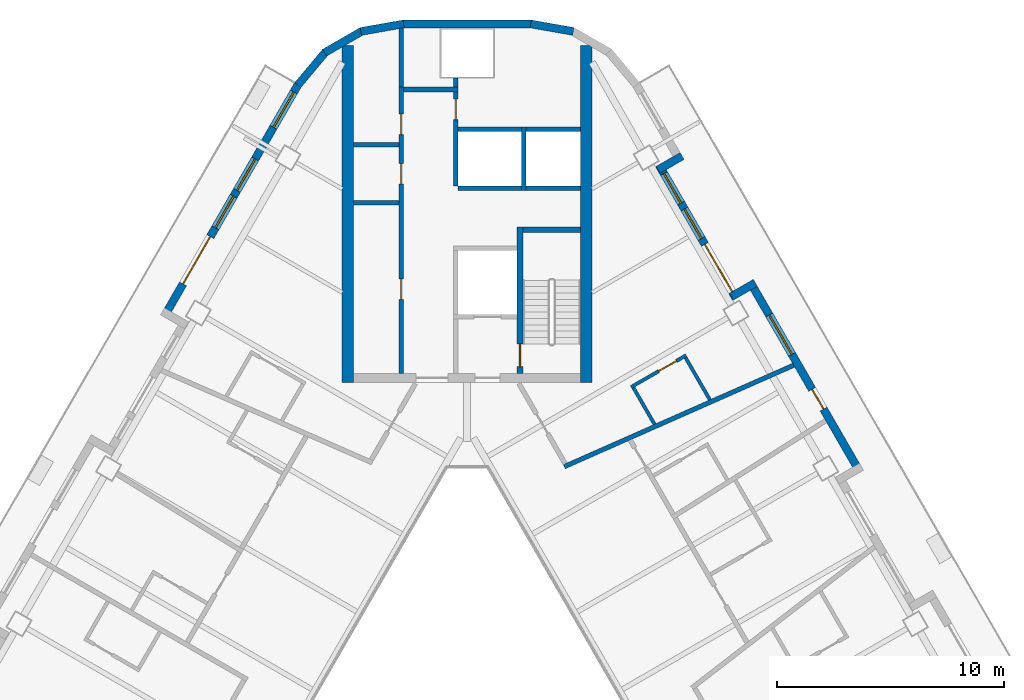
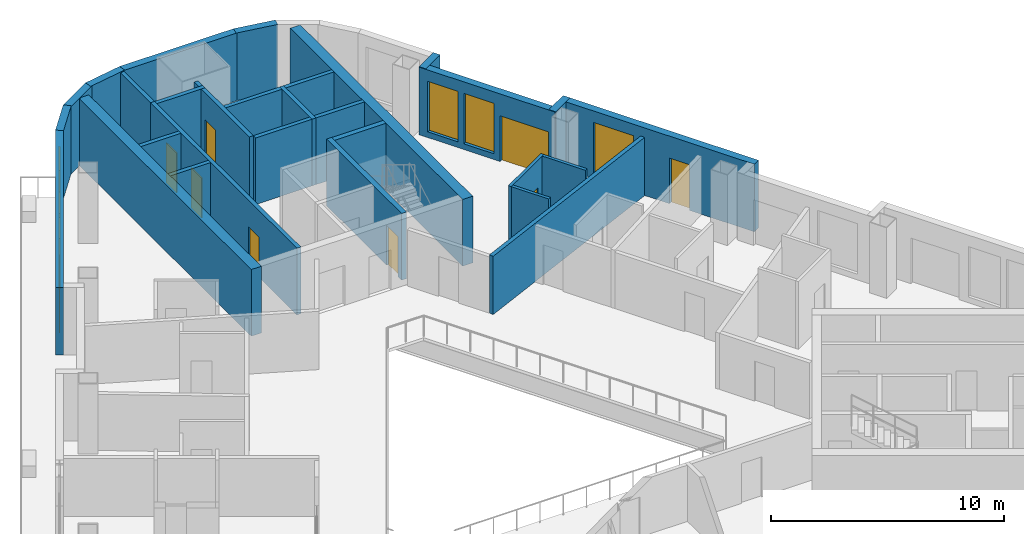
# One storey, part 7 of 14: 30 walls, 9 doors, 6 windows, 15 openings.
"""IFC4 building model written with IfcOpenShell, lengths in metres."""

from ifc_helpers import new_model, si_unit, direction, frame, frame_2d, origin, place, context, subcontext, project, spatial, rectangle, extrude, material, layer, layer_set, type_object, element, fill, save


model = new_model("IFC4")

# Units and contexts
model_context = context("Model", 3, precision=1e-05, world=origin(), true_north=direction((0.0, 1.0)))
body_context = subcontext(model_context, "Body", "Model", "MODEL_VIEW")
ifc_project = project(units=[si_unit("LENGTHUNIT", "METRE"), si_unit("AREAUNIT", "SQUARE_METRE"), si_unit("VOLUMEUNIT", "CUBIC_METRE"), si_unit("PLANEANGLEUNIT", "RADIAN"), si_unit("MASSUNIT", "GRAM", prefix="KILO")], contexts=[model_context])

# Site, building, storey
site_placement = place(None, origin())
site = spatial("IfcSite", under=ifc_project, at=site_placement, CompositionType="ELEMENT")
building_placement = place(site_placement, origin())
building = spatial("IfcBuilding", under=site, at=building_placement, Name="Apuvela Tower Hotel", CompositionType="ELEMENT")
storey_placement = place(building_placement, frame((0.0, 0.0, 179.89990234375)))
storey = spatial("IfcBuildingStorey", under=building, at=storey_placement, Name="L43", CompositionType="ELEMENT", Elevation=179.89990234375)

# Walls
ifc_material_1 = material(Name="Concrete C50/60", Category="concrete")
ifc_layer_1 = layer(ifc_material_1, 0.5)
ifc_layer_set_1 = layer_set([ifc_layer_1], Name="COR-WALL-CORE-500")
wall_type_1 = type_object("IfcWallType", Name="COR-WALL-CORE-500", PredefinedType="SHEAR", material=ifc_layer_set_1)
for number, where, z_axis, x_axis, name in (
    (1, (5.25, 12.89990234375, 0.0), (0.0, 0.0, 1.0), (0.0, 1.0, 0.0), "Core wall N"),
    (2, (-5.25, 12.89990234375, 0.0), (0.0, 0.0, 1.0), (0.0, 1.0, 0.0), "Core wall N"),
):
    element("IfcWall", number, at=place(storey_placement, frame(where, z_axis=z_axis, x_axis=x_axis)), inside=storey, type_object=wall_type_1, Name=name, PredefinedType="SHEAR", context=body_context, shape_type="SweptSolid", body=[
        extrude(rectangle(XDim=14.8369140625, YDim=0.5, at=frame_2d((7.41845703125, 0.0))), origin(), (0.0, 0.0, 1.0), 3.5),
    ])
ifc_material_2 = material(Name="Blockwork 200 mm plastered", Category="masonry")
ifc_layer_2 = layer(ifc_material_2, 0.199951171875)
ifc_layer_set_2 = layer_set([ifc_layer_2], Name="COR-WALL-PART-200")
wall_type_2 = type_object("IfcWallType", Name="COR-WALL-PART-200", PredefinedType="PARTITIONING", material=ifc_layer_set_2)
wall_1_placement = place(storey_placement, frame((5.0, 21.449951171875, 0.0), z_axis=(0.0, 0.0, 1.0), x_axis=(-1.0, 0.0, 0.0)))
element("IfcWall", 3, at=wall_1_placement, inside=storey, type_object=wall_type_2, Name="Partition N", PredefinedType="PARTITIONING", context=body_context, shape_type="SweptSolid", body=[
    extrude(rectangle(XDim=2.39990234375, YDim=0.199951171875, at=frame_2d((1.199951171875, 0.0))), origin(), (0.0, 0.0, 1.0), 3.5),
])
wall_2_placement = place(storey_placement, frame((2.39990234375, 21.449951171875, 0.0), z_axis=(0.0, 0.0, 1.0), x_axis=(-1.0, 0.0, 0.0)))
element("IfcWall", 4, at=wall_2_placement, inside=storey, type_object=wall_type_2, Name="Partition N", PredefinedType="PARTITIONING", context=body_context, shape_type="SweptSolid", body=[
    extrude(rectangle(XDim=2.7998046875, YDim=0.199951171875, at=frame_2d((1.39990234375, 0.0))), origin(), (0.0, 0.0, 1.0), 3.5),
])

# Wall, openings, doors
ifc_layer_3 = layer(ifc_material_1, 0.199951171875)
ifc_layer_set_3 = layer_set([ifc_layer_3], Name="COR-WALL-SHAFT-200")
wall_type_3 = type_object("IfcWallType", Name="COR-WALL-SHAFT-200", PredefinedType="SHEAR", material=ifc_layer_set_3)
wall_3_placement = place(storey_placement, frame((-2.89990234375, 13.300048828125, 0.0), z_axis=(0.0, 0.0, 1.0), x_axis=(0.0, 1.0, 0.0)))
wall_3 = element("IfcWall", 5, at=wall_3_placement, inside=storey, type_object=wall_type_3, Name="Shaft wall N", PredefinedType="SHEAR", context=body_context, shape_type="SweptSolid", body=[
    extrude(rectangle(XDim=12.599853515625, YDim=0.199951171875, at=frame_2d((6.2998046875, 0.0))), origin(), (0.0, 0.0, 1.0), 3.5),
])
opening_1_placement = place(wall_3_placement, frame((3.260009765625, 0.0, 0.0)))
opening_1 = element("IfcOpeningElement", 6, at=opening_1_placement, cuts=wall_3, Name="Opening N-RE1", PredefinedType="OPENING", context=body_context, shape_type="SweptSolid", body=[
    extrude(rectangle(XDim=0.89990234375, YDim=2.10009765625, at=frame_2d((0.449951171875, 1.050048828125))), frame((0.0, 0.10986328125, 0.0), z_axis=(0.0, -1.0, 0.0), x_axis=(1.0, 0.0, 0.0)), (0.0, 0.0, 1.0), 0.219970703125),
])
opening_2_placement = place(wall_3_placement, frame((8.340087890625, 0.0, 0.0)))
opening_2 = element("IfcOpeningElement", 7, at=opening_2_placement, cuts=wall_3, Name="Opening N-RE4", PredefinedType="OPENING", context=body_context, shape_type="SweptSolid", body=[
    extrude(rectangle(XDim=0.89990234375, YDim=2.10009765625, at=frame_2d((0.449951171875, 1.050048828125))), frame((0.0, 0.10986328125, 0.0), z_axis=(0.0, -1.0, 0.0), x_axis=(1.0, 0.0, 0.0)), (0.0, 0.0, 1.0), 0.219970703125),
])
opening_3_placement = place(wall_3_placement, frame((10.510009765625, 0.0, 0.0)))
opening_3 = element("IfcOpeningElement", 8, at=opening_3_placement, cuts=wall_3, Name="Opening N-REP", PredefinedType="OPENING", context=body_context, shape_type="SweptSolid", body=[
    extrude(rectangle(XDim=0.89990234375, YDim=2.10009765625, at=frame_2d((0.449951171875, 1.050048828125))), frame((0.0, 0.10986328125, 0.0), z_axis=(0.0, -1.0, 0.0), x_axis=(1.0, 0.0, 0.0)), (0.0, 0.0, 1.0), 0.219970703125),
])
ifc_material_3 = material(Name="Steel fire door, powder coated", Category="steel")
door_type_1 = type_object("IfcDoorType", Name="COR-DR-900", OperationType="NOTDEFINED", PredefinedType="DOOR", material=ifc_material_3)
door_1_placement = place(opening_1_placement, origin())
door_1 = element("IfcDoor", 9, at=door_1_placement, inside=storey, type_object=door_type_1, Name="Store door N-RE1", OperationType="SINGLE_SWING_LEFT", OverallHeight=2.10009765625, OverallWidth=0.89990234375, PredefinedType="DOOR", context=body_context, shape_type="SweptSolid", body=[
    extrude(rectangle(XDim=0.89990234375, YDim=2.10009765625, at=frame_2d((0.449951171875, 1.050048828125))), frame((0.0, 0.02490234375, 0.0), z_axis=(0.0, -1.0, 0.0), x_axis=(1.0, 0.0, 0.0)), (0.0, 0.0, 1.0), 0.050048828125),
])
fill(opening_1, door_1)
door_2_placement = place(opening_2_placement, origin())
door_2 = element("IfcDoor", 10, at=door_2_placement, inside=storey, type_object=door_type_1, Name="Store door N-RE4", OperationType="SINGLE_SWING_LEFT", OverallHeight=2.10009765625, OverallWidth=0.89990234375, PredefinedType="DOOR", context=body_context, shape_type="SweptSolid", body=[
    extrude(rectangle(XDim=0.89990234375, YDim=2.10009765625, at=frame_2d((0.449951171875, 1.050048828125))), frame((0.0, 0.02490234375, 0.0), z_axis=(0.0, -1.0, 0.0), x_axis=(1.0, 0.0, 0.0)), (0.0, 0.0, 1.0), 0.050048828125),
])
fill(opening_2, door_2)
door_3_placement = place(opening_3_placement, origin())
door_3 = element("IfcDoor", 11, at=door_3_placement, inside=storey, type_object=door_type_1, Name="Store door N-REP", OperationType="SINGLE_SWING_RIGHT", OverallHeight=2.10009765625, OverallWidth=0.89990234375, PredefinedType="DOOR", context=body_context, shape_type="SweptSolid", body=[
    extrude(rectangle(XDim=0.89990234375, YDim=2.10009765625, at=frame_2d((0.449951171875, 1.050048828125))), frame((0.0, 0.02490234375, 0.0), z_axis=(0.0, -1.0, 0.0), x_axis=(1.0, 0.0, 0.0)), (0.0, 0.0, 1.0), 0.050048828125),
])
fill(opening_3, door_3)

# Wall
wall_4_placement = place(storey_placement, frame((-0.39990234375, 25.800048828125, 0.0), z_axis=(0.0, 0.0, 1.0), x_axis=(-1.0, 0.0, 0.0)))
element("IfcWall", 12, at=wall_4_placement, inside=storey, type_object=wall_type_3, Name="Shaft wall N", PredefinedType="SHEAR", context=body_context, shape_type="SweptSolid", body=[
    extrude(rectangle(XDim=2.400146484375, YDim=0.199951171875, at=frame_2d((1.2001953125, 0.0))), origin(), (0.0, 0.0, 1.0), 3.5),
])

# Wall, opening, door
wall_5_placement = place(storey_placement, frame((-0.5, 21.550048828125, 0.0), z_axis=(0.0, 0.0, 1.0), x_axis=(0.0, 1.0, 0.0)))
wall_5 = element("IfcWall", 13, at=wall_5_placement, inside=storey, type_object=wall_type_3, Name="Shaft wall N", PredefinedType="SHEAR", context=body_context, shape_type="SweptSolid", body=[
    extrude(rectangle(XDim=4.14990234375, YDim=0.199951171875, at=frame_2d((2.074951171875, 0.0))), origin(), (0.0, 0.0, 1.0), 3.5),
])
opening_4_placement = place(wall_5_placement, frame((2.925048828125, 0.0, 0.0)))
opening_4 = element("IfcOpeningElement", 14, at=opening_4_placement, cuts=wall_5, Name="Opening N-RSP", PredefinedType="OPENING", context=body_context, shape_type="SweptSolid", body=[
    extrude(rectangle(XDim=0.89990234375, YDim=2.10009765625, at=frame_2d((0.449951171875, 1.050048828125))), frame((0.0, 0.10986328125, 0.0), z_axis=(0.0, -1.0, 0.0), x_axis=(1.0, 0.0, 0.0)), (0.0, 0.0, 1.0), 0.219970703125),
])
door_4_placement = place(opening_4_placement, frame((0.89990234375, 0.0, 0.0), z_axis=(0.0, 0.0, 1.0), x_axis=(-1.0, 0.0, 0.0)))
door_4 = element("IfcDoor", 15, at=door_4_placement, inside=storey, type_object=door_type_1, Name="Store door N-RSP", OperationType="SINGLE_SWING_LEFT", OverallHeight=2.10009765625, OverallWidth=0.89990234375, PredefinedType="DOOR", context=body_context, shape_type="SweptSolid", body=[
    extrude(rectangle(XDim=0.89990234375, YDim=2.10009765625, at=frame_2d((0.449951171875, 1.050048828125))), frame((0.0, 0.02490234375, 0.0), z_axis=(0.0, -1.0, 0.0), x_axis=(1.0, 0.0, 0.0)), (0.0, 0.0, 1.0), 0.050048828125),
])
fill(opening_4, door_4)

# Walls
for number, where, z_axis, x_axis, name in (
    (16, (-3.0, 20.820068359375, 0.0), (0.0, 0.0, 1.0), (-1.0, 0.0, 0.0), "Shaft wall N"),
    (17, (-3.0, 23.360107421875, 0.0), (0.0, 0.0, 1.0), (-1.0, 0.0, 0.0), "Shaft wall N"),
):
    element("IfcWall", number, at=place(storey_placement, frame(where, z_axis=z_axis, x_axis=x_axis)), inside=storey, type_object=wall_type_3, Name=name, PredefinedType="SHEAR", context=body_context, shape_type="SweptSolid", body=[
        extrude(rectangle(XDim=2.0, YDim=0.199951171875, at=frame_2d((1.0, 0.0))), origin(), (0.0, 0.0, 1.0), 3.5),
    ])
wall_6_placement = place(storey_placement, frame((-0.5, 25.89990234375, 0.0), z_axis=(0.0, 0.0, 1.0), x_axis=(0.0, 1.0, 0.0)))
element("IfcWall", 18, at=wall_6_placement, inside=storey, type_object=wall_type_3, Name="Shaft wall N", PredefinedType="SHEAR", context=body_context, shape_type="SweptSolid", body=[
    extrude(rectangle(XDim=0.400146484375, YDim=0.199951171875, at=frame_2d((0.2001953125, 0.0))), origin(), (0.0, 0.0, 1.0), 3.5),
])
wall_7_placement = place(storey_placement, frame((-2.89990234375, 25.89990234375, 0.0), z_axis=(0.0, 0.0, 1.0), x_axis=(0.0, 1.0, 0.0)))
element("IfcWall", 19, at=wall_7_placement, inside=storey, type_object=wall_type_3, Name="Shaft wall N", PredefinedType="SHEAR", context=body_context, shape_type="SweptSolid", body=[
    extrude(rectangle(XDim=2.60009765625, YDim=0.199951171875, at=frame_2d((1.300048828125, 0.0))), origin(), (0.0, 0.0, 1.0), 3.5),
])
wall_8_placement = place(storey_placement, frame((2.5, 21.35009765625, 0.0), z_axis=(0.0, 0.0, 1.0), x_axis=(0.0, 1.0, 0.0)))
element("IfcWall", 20, at=wall_8_placement, inside=storey, type_object=wall_type_3, Name="Shaft wall N", PredefinedType="SHEAR", context=body_context, shape_type="SweptSolid", body=[
    extrude(rectangle(XDim=2.7998046875, YDim=0.199951171875, at=frame_2d((1.39990234375, 0.0))), origin(), (0.0, 0.0, 1.0), 3.5),
])
wall_9_placement = place(storey_placement, frame((5.0, 24.050048828125, 0.0), z_axis=(0.0, 0.0, 1.0), x_axis=(-1.0, 0.0, 0.0)))
element("IfcWall", 21, at=wall_9_placement, inside=storey, type_object=wall_type_3, Name="Shaft wall N", PredefinedType="SHEAR", context=body_context, shape_type="SweptSolid", body=[
    extrude(rectangle(XDim=2.39990234375, YDim=0.199951171875, at=frame_2d((1.199951171875, 0.0))), origin(), (0.0, 0.0, 1.0), 3.5),
])
wall_10_placement = place(storey_placement, frame((2.39990234375, 24.050048828125, 0.0), z_axis=(0.0, 0.0, 1.0), x_axis=(-1.0, 0.0, 0.0)))
element("IfcWall", 22, at=wall_10_placement, inside=storey, type_object=wall_type_3, Name="Shaft wall N", PredefinedType="SHEAR", context=body_context, shape_type="SweptSolid", body=[
    extrude(rectangle(XDim=2.7998046875, YDim=0.199951171875, at=frame_2d((1.39990234375, 0.0))), origin(), (0.0, 0.0, 1.0), 3.5),
])

# Wall, opening, door
ifc_layer_4 = layer(ifc_material_1, 0.25)
ifc_layer_set_4 = layer_set([ifc_layer_4], Name="COR-WALL-STAIR-250")
wall_type_4 = type_object("IfcWallType", Name="COR-WALL-STAIR-250", PredefinedType="SHEAR", material=ifc_layer_set_4)
wall_11_placement = place(storey_placement, frame((2.324951171875, 13.300048828125, 0.0), z_axis=(0.0, 0.0, 1.0), x_axis=(0.0, 1.0, 0.0)))
wall_11 = element("IfcWall", 23, at=wall_11_placement, inside=storey, type_object=wall_type_4, Name="Stair wall N", PredefinedType="SHEAR", context=body_context, shape_type="SweptSolid", body=[
    extrude(rectangle(XDim=6.449951171875, YDim=0.25, at=frame_2d((3.22509765625, 0.0))), origin(), (0.0, 0.0, 1.0), 3.5),
])
opening_5_placement = place(wall_11_placement, frame((0.300048828125, 0.0, 0.0)))
opening_5 = element("IfcOpeningElement", 24, at=opening_5_placement, cuts=wall_11, Name="Opening N-SD", PredefinedType="OPENING", context=body_context, shape_type="SweptSolid", body=[
    extrude(rectangle(XDim=1.0, YDim=2.10009765625, at=frame_2d((0.5, 1.050048828125))), frame((0.0, 0.135009765625, 0.0), z_axis=(0.0, -1.0, 0.0), x_axis=(1.0, 0.0, 0.0)), (0.0, 0.0, 1.0), 0.27001953125),
])
door_type_2 = type_object("IfcDoorType", Name="COR-SD-1000", OperationType="NOTDEFINED", PredefinedType="DOOR", material=ifc_material_3)
door_5_placement = place(opening_5_placement, frame((1.0, 0.0, 0.0), z_axis=(0.0, 0.0, 1.0), x_axis=(-1.0, 0.0, 0.0)))
door_5 = element("IfcDoor", 25, at=door_5_placement, inside=storey, type_object=door_type_2, Name="Stair door N-SD", OperationType="SINGLE_SWING_LEFT", OverallHeight=2.10009765625, OverallWidth=1.0, PredefinedType="DOOR", context=body_context, shape_type="SweptSolid", body=[
    extrude(rectangle(XDim=1.0, YDim=2.10009765625, at=frame_2d((0.5, 1.050048828125))), frame((0.0, 0.02490234375, 0.0), z_axis=(0.0, -1.0, 0.0), x_axis=(1.0, 0.0, 0.0)), (0.0, 0.0, 1.0), 0.050048828125),
])
fill(opening_5, door_5)

# Wall
wall_12_placement = place(storey_placement, frame((5.0, 19.625, 0.0), z_axis=(0.0, 0.0, 1.0), x_axis=(-1.0, 0.0, 0.0)))
element("IfcWall", 26, at=wall_12_placement, inside=storey, type_object=wall_type_4, Name="Stair wall N", PredefinedType="SHEAR", context=body_context, shape_type="SweptSolid", body=[
    extrude(rectangle(XDim=2.550048828125, YDim=0.25, at=frame_2d((1.27490234375, 0.0))), origin(), (0.0, 0.0, 1.0), 3.5),
])

# Wall, openings, door, windows
ifc_material_4 = material(Name="Concrete C40/50, dark pigmented precast panel", Category="concrete")
ifc_layer_5 = layer(ifc_material_4, 0.35009765625)
ifc_layer_set_5 = layer_set([ifc_layer_5], Name="ENV-WALL-350")
wall_type_5 = type_object("IfcWallType", Name="ENV-WALL-350", PredefinedType="SOLIDWALL", material=ifc_layer_set_5)
wall_13_placement = place(storey_placement, frame((-7.440673828125, 26.0224609375, 0.0), z_axis=(0.0, 0.0, 1.0), x_axis=(-0.499992533062, -0.86602971478, 0.0)))
wall_13 = element("IfcWall", 27, at=wall_13_placement, inside=storey, type_object=wall_type_5, Name="External wall L43-01", PredefinedType="SOLIDWALL", context=body_context, shape_type="SweptSolid", body=[
    extrude(rectangle(XDim=11.815673828125, YDim=0.35009765625, at=frame_2d((5.90771484375, 0.0))), origin(), (0.0, 0.0, 1.0), 3.550048828125),
])
opening_6_placement = place(wall_13_placement, frame((0.381103515625, 0.0, 0.300048828125)))
opening_6 = element("IfcOpeningElement", 28, at=opening_6_placement, cuts=wall_13, Name="Opening WN18", PredefinedType="OPENING", context=body_context, shape_type="SweptSolid", body=[
    extrude(rectangle(XDim=1.800048828125, YDim=2.64990234375, at=frame_2d((0.89990234375, 1.324951171875))), frame((0.0, 0.18505859375, 0.0), z_axis=(0.0, -1.0, 0.0), x_axis=(1.0, 0.0, 0.0)), (0.0, 0.0, 1.0), 0.3701171875),
])
opening_7_placement = place(wall_13_placement, frame((7.740478515625, 0.0, 0.0)))
opening_7 = element("IfcOpeningElement", 29, at=opening_7_placement, cuts=wall_13, Name="Opening BD24", PredefinedType="OPENING", context=body_context, shape_type="SweptSolid", body=[
    extrude(rectangle(XDim=2.39990234375, YDim=2.39990234375, at=frame_2d((1.199951171875, 1.199951171875))), frame((0.0, 0.18505859375, 0.0), z_axis=(0.0, -1.0, 0.0), x_axis=(1.0, 0.0, 0.0)), (0.0, 0.0, 1.0), 0.3701171875),
])
opening_8_placement = place(wall_13_placement, frame((3.791015625, 0.0, 0.300048828125)))
opening_8 = element("IfcOpeningElement", 30, at=opening_8_placement, cuts=wall_13, Name="Opening WN16", PredefinedType="OPENING", context=body_context, shape_type="SweptSolid", body=[
    extrude(rectangle(XDim=1.60009765625, YDim=2.64990234375, at=frame_2d((0.800048828125, 1.324951171875))), frame((0.0, 0.18505859375, 0.0), z_axis=(0.0, -1.0, 0.0), x_axis=(1.0, 0.0, 0.0)), (0.0, 0.0, 1.0), 0.3701171875),
])
opening_9_placement = place(wall_13_placement, frame((5.69091796875, 0.0, 0.300048828125)))
opening_9 = element("IfcOpeningElement", 31, at=opening_9_placement, cuts=wall_13, Name="Opening WN16", PredefinedType="OPENING", context=body_context, shape_type="SweptSolid", body=[
    extrude(rectangle(XDim=1.60009765625, YDim=2.64990234375, at=frame_2d((0.800048828125, 1.324951171875))), frame((0.0, 0.18505859375, 0.0), z_axis=(0.0, -1.0, 0.0), x_axis=(1.0, 0.0, 0.0)), (0.0, 0.0, 1.0), 0.3701171875),
])
ifc_material_5 = material(Name="Aluminium 6063-T6, dark bronze anodised frame with dark tinted laminated glass", Category="aluminium")
door_type_3 = type_object("IfcDoorType", Name="ENV-DOOR-BALCONY-2400x2400", OperationType="SLIDING_TO_LEFT", PredefinedType="DOOR", material=ifc_material_5)
door_6_placement = place(opening_7_placement, frame((2.39990234375, 0.0, 0.0), z_axis=(0.0, 0.0, 1.0), x_axis=(-1.0, 0.0, 0.0)))
door_6 = element("IfcDoor", 32, at=door_6_placement, inside=storey, type_object=door_type_3, Name="Balcony door BD24", OperationType="SLIDING_TO_LEFT", OverallHeight=2.39990234375, OverallWidth=2.39990234375, PredefinedType="DOOR", context=body_context, shape_type="SweptSolid", body=[
    extrude(rectangle(XDim=2.39990234375, YDim=2.39990234375, at=frame_2d((1.199951171875, 1.199951171875))), frame((0.0, 0.02490234375, 0.0), z_axis=(0.0, -1.0, 0.0), x_axis=(1.0, 0.0, 0.0)), (0.0, 0.0, 1.0), 0.050048828125),
])
fill(opening_7, door_6)
ifc_material_6 = material(Name="Glass, dark tinted laminated insulated glazing unit", Category="glass")
window_type_1 = type_object("IfcWindowType", Name="ENV-WIN-1600x2650", PartitioningType="SINGLE_PANEL", PredefinedType="WINDOW", material=ifc_material_6)
window_1_placement = place(opening_8_placement, origin())
window_1 = element("IfcWindow", 33, at=window_1_placement, inside=storey, type_object=window_type_1, Name="Window WN16", OverallHeight=2.64990234375, OverallWidth=1.60009765625, PartitioningType="SINGLE_PANEL", PredefinedType="WINDOW", context=body_context, shape_type="SweptSolid", body=[
    extrude(rectangle(XDim=1.60009765625, YDim=2.64990234375, at=frame_2d((0.800048828125, 1.324951171875))), frame((0.0, 0.030029296875, 0.0), z_axis=(0.0, -1.0, 0.0), x_axis=(1.0, 0.0, 0.0)), (0.0, 0.0, 1.0), 0.06005859375),
])
fill(opening_8, window_1)
window_2_placement = place(opening_9_placement, origin())
window_2 = element("IfcWindow", 34, at=window_2_placement, inside=storey, type_object=window_type_1, Name="Window WN16", OverallHeight=2.64990234375, OverallWidth=1.60009765625, PartitioningType="SINGLE_PANEL", PredefinedType="WINDOW", context=body_context, shape_type="SweptSolid", body=[
    extrude(rectangle(XDim=1.60009765625, YDim=2.64990234375, at=frame_2d((0.800048828125, 1.324951171875))), frame((0.0, 0.030029296875, 0.0), z_axis=(0.0, -1.0, 0.0), x_axis=(1.0, 0.0, 0.0)), (0.0, 0.0, 1.0), 0.06005859375),
])
fill(opening_9, window_2)
window_type_2 = type_object("IfcWindowType", Name="ENV-WIN-1800x2650", PartitioningType="SINGLE_PANEL", PredefinedType="WINDOW", material=ifc_material_6)
window_3_placement = place(opening_6_placement, origin())
window_3 = element("IfcWindow", 35, at=window_3_placement, inside=storey, type_object=window_type_2, Name="Window WN18", OverallHeight=2.64990234375, OverallWidth=1.800048828125, PartitioningType="SINGLE_PANEL", PredefinedType="WINDOW", context=body_context, shape_type="SweptSolid", body=[
    extrude(rectangle(XDim=1.800048828125, YDim=2.64990234375, at=frame_2d((0.89990234375, 1.324951171875))), frame((0.0, 0.030029296875, 0.0), z_axis=(0.0, -1.0, 0.0), x_axis=(1.0, 0.0, 0.0)), (0.0, 0.0, 1.0), 0.06005859375),
])
fill(opening_6, window_3)

# Wall, openings, door, window
wall_14_placement = place(storey_placement, frame((17.298583984375, 8.947998046875, 0.0), z_axis=(0.0, 0.0, 1.0), x_axis=(-0.500010041276, 0.866019606374, 0.0)))
wall_14 = element("IfcWall", 36, at=wall_14_placement, inside=storey, type_object=wall_type_5, Name="External wall L43-37", PredefinedType="SOLIDWALL", context=body_context, shape_type="SweptSolid", body=[
    extrude(rectangle(XDim=9.699951171875, YDim=0.35009765625, at=frame_2d((4.85009765625, 0.0))), origin(), (0.0, 0.0, 1.0), 3.550048828125),
])
opening_10_placement = place(wall_14_placement, frame((3.209716796875, 0.0, 0.0)))
opening_10 = element("IfcOpeningElement", 37, at=opening_10_placement, cuts=wall_14, Name="Opening BD10", PredefinedType="OPENING", context=body_context, shape_type="SweptSolid", body=[
    extrude(rectangle(XDim=1.0, YDim=2.39990234375, at=frame_2d((0.5, 1.199951171875))), frame((0.0, 0.18505859375, 0.0), z_axis=(0.0, -1.0, 0.0), x_axis=(1.0, 0.0, 0.0)), (0.0, 0.0, 1.0), 0.3701171875),
])
opening_11_placement = place(wall_14_placement, frame((5.989990234375, 0.0, 0.300048828125)))
opening_11 = element("IfcOpeningElement", 38, at=opening_11_placement, cuts=wall_14, Name="Opening WN20", PredefinedType="OPENING", context=body_context, shape_type="SweptSolid", body=[
    extrude(rectangle(XDim=2.0, YDim=2.64990234375, at=frame_2d((1.0, 1.324951171875))), frame((0.0, 0.18505859375, 0.0), z_axis=(0.0, -1.0, 0.0), x_axis=(1.0, 0.0, 0.0)), (0.0, 0.0, 1.0), 0.3701171875),
])
door_type_4 = type_object("IfcDoorType", Name="ENV-DOOR-BALCONY-1000x2400", OperationType="SLIDING_TO_LEFT", PredefinedType="DOOR", material=ifc_material_5)
door_7_placement = place(opening_10_placement, frame((1.0, 0.0, 0.0), z_axis=(0.0, 0.0, 1.0), x_axis=(-1.0, 0.0, 0.0)))
door_7 = element("IfcDoor", 39, at=door_7_placement, inside=storey, type_object=door_type_4, Name="Balcony door BD10", OperationType="SLIDING_TO_LEFT", OverallHeight=2.39990234375, OverallWidth=1.0, PredefinedType="DOOR", context=body_context, shape_type="SweptSolid", body=[
    extrude(rectangle(XDim=1.0, YDim=2.39990234375, at=frame_2d((0.5, 1.199951171875))), frame((0.0, 0.02490234375, 0.0), z_axis=(0.0, -1.0, 0.0), x_axis=(1.0, 0.0, 0.0)), (0.0, 0.0, 1.0), 0.050048828125),
])
fill(opening_10, door_7)
window_type_3 = type_object("IfcWindowType", Name="ENV-WIN-2000x2650", PartitioningType="SINGLE_PANEL", PredefinedType="WINDOW", material=ifc_material_6)
window_4_placement = place(opening_11_placement, origin())
window_4 = element("IfcWindow", 40, at=window_4_placement, inside=storey, type_object=window_type_3, Name="Window WN20", OverallHeight=2.64990234375, OverallWidth=2.0, PartitioningType="SINGLE_PANEL", PredefinedType="WINDOW", context=body_context, shape_type="SweptSolid", body=[
    extrude(rectangle(XDim=2.0, YDim=2.64990234375, at=frame_2d((1.0, 1.324951171875))), frame((0.0, 0.030029296875, 0.0), z_axis=(0.0, -1.0, 0.0), x_axis=(1.0, 0.0, 0.0)), (0.0, 0.0, 1.0), 0.06005859375),
])
fill(opening_11, window_4)

# Wall
wall_15_placement = place(storey_placement, frame((12.6875, 17.284423828125, 0.0), z_axis=(0.0, 0.0, 1.0), x_axis=(-0.865955602162, -0.500120880472, 0.0)))
element("IfcWall", 41, at=wall_15_placement, inside=storey, type_object=wall_type_5, Name="External wall L43-38", PredefinedType="SOLIDWALL", context=body_context, shape_type="SweptSolid", body=[
    extrude(rectangle(XDim=1.219970703125, YDim=0.35009765625, at=frame_2d((0.60986328125, 0.0))), origin(), (0.0, 0.0, 1.0), 3.550048828125),
])

# Wall, openings, door, windows
wall_16_placement = place(storey_placement, frame((11.8291015625, 16.621337890625, 0.0), z_axis=(0.0, 0.0, 1.0), x_axis=(-0.500003597184, 0.866023326939, 0.0)))
wall_16 = element("IfcWall", 42, at=wall_16_placement, inside=storey, type_object=wall_type_5, Name="External wall L43-39", PredefinedType="SOLIDWALL", context=body_context, shape_type="SweptSolid", body=[
    extrude(rectangle(XDim=6.740234375, YDim=0.35009765625, at=frame_2d((3.3701171875, 0.0))), origin(), (0.0, 0.0, 1.0), 3.550048828125),
])
opening_12_placement = place(wall_16_placement, frame((0.320068359375, 0.0, 0.0)))
opening_12 = element("IfcOpeningElement", 43, at=opening_12_placement, cuts=wall_16, Name="Opening BD24", PredefinedType="OPENING", context=body_context, shape_type="SweptSolid", body=[
    extrude(rectangle(XDim=2.39990234375, YDim=2.39990234375, at=frame_2d((1.199951171875, 1.199951171875))), frame((0.0, 0.18505859375, 0.0), z_axis=(0.0, -1.0, 0.0), x_axis=(1.0, 0.0, 0.0)), (0.0, 0.0, 1.0), 0.3701171875),
])
opening_13_placement = place(wall_16_placement, frame((3.02001953125, 0.0, 0.300048828125)))
opening_13 = element("IfcOpeningElement", 44, at=opening_13_placement, cuts=wall_16, Name="Opening WN15", PredefinedType="OPENING", context=body_context, shape_type="SweptSolid", body=[
    extrude(rectangle(XDim=1.5, YDim=2.64990234375, at=frame_2d((0.75, 1.324951171875))), frame((0.0, 0.18505859375, 0.0), z_axis=(0.0, -1.0, 0.0), x_axis=(1.0, 0.0, 0.0)), (0.0, 0.0, 1.0), 0.3701171875),
])
opening_14_placement = place(wall_16_placement, frame((4.820068359375, 0.0, 0.300048828125)))
opening_14 = element("IfcOpeningElement", 45, at=opening_14_placement, cuts=wall_16, Name="Opening WN15", PredefinedType="OPENING", context=body_context, shape_type="SweptSolid", body=[
    extrude(rectangle(XDim=1.5, YDim=2.64990234375, at=frame_2d((0.75, 1.324951171875))), frame((0.0, 0.18505859375, 0.0), z_axis=(0.0, -1.0, 0.0), x_axis=(1.0, 0.0, 0.0)), (0.0, 0.0, 1.0), 0.3701171875),
])
door_8_placement = place(opening_12_placement, frame((2.39990234375, 0.0, 0.0), z_axis=(0.0, 0.0, 1.0), x_axis=(-1.0, 0.0, 0.0)))
door_8 = element("IfcDoor", 46, at=door_8_placement, inside=storey, type_object=door_type_3, Name="Balcony door BD24", OperationType="SLIDING_TO_LEFT", OverallHeight=2.39990234375, OverallWidth=2.39990234375, PredefinedType="DOOR", context=body_context, shape_type="SweptSolid", body=[
    extrude(rectangle(XDim=2.39990234375, YDim=2.39990234375, at=frame_2d((1.199951171875, 1.199951171875))), frame((0.0, 0.02490234375, 0.0), z_axis=(0.0, -1.0, 0.0), x_axis=(1.0, 0.0, 0.0)), (0.0, 0.0, 1.0), 0.050048828125),
])
fill(opening_12, door_8)
window_type_4 = type_object("IfcWindowType", Name="ENV-WIN-1500x2650", PartitioningType="SINGLE_PANEL", PredefinedType="WINDOW", material=ifc_material_6)
window_5_placement = place(opening_13_placement, origin())
window_5 = element("IfcWindow", 47, at=window_5_placement, inside=storey, type_object=window_type_4, Name="Window WN15", OverallHeight=2.64990234375, OverallWidth=1.5, PartitioningType="SINGLE_PANEL", PredefinedType="WINDOW", context=body_context, shape_type="SweptSolid", body=[
    extrude(rectangle(XDim=1.5, YDim=2.64990234375, at=frame_2d((0.75, 1.324951171875))), frame((0.0, 0.030029296875, 0.0), z_axis=(0.0, -1.0, 0.0), x_axis=(1.0, 0.0, 0.0)), (0.0, 0.0, 1.0), 0.06005859375),
])
fill(opening_13, window_5)
window_6_placement = place(opening_14_placement, origin())
window_6 = element("IfcWindow", 48, at=window_6_placement, inside=storey, type_object=window_type_4, Name="Window WN15", OverallHeight=2.64990234375, OverallWidth=1.5, PartitioningType="SINGLE_PANEL", PredefinedType="WINDOW", context=body_context, shape_type="SweptSolid", body=[
    extrude(rectangle(XDim=1.5, YDim=2.64990234375, at=frame_2d((0.75, 1.324951171875))), frame((0.0, 0.030029296875, 0.0), z_axis=(0.0, -1.0, 0.0), x_axis=(1.0, 0.0, 0.0)), (0.0, 0.0, 1.0), 0.06005859375),
])
fill(opening_14, window_6)

# Walls
wall_17_placement = place(storey_placement, frame((8.406005859375, 22.26025390625, 0.0), z_axis=(0.0, 0.0, 1.0), x_axis=(0.865955602162, 0.500120880472, 0.0)))
element("IfcWall", 49, at=wall_17_placement, inside=storey, type_object=wall_type_5, Name="External wall L43-40", PredefinedType="SOLIDWALL", context=body_context, shape_type="SweptSolid", body=[
    extrude(rectangle(XDim=1.219970703125, YDim=0.35009765625, at=frame_2d((0.60986328125, 0.0))), origin(), (0.0, 0.0, 1.0), 3.550048828125),
])
wall_18_placement = place(storey_placement, frame((4.6796875, 28.35595703125, 0.0), z_axis=(0.0, 0.0, 1.0), x_axis=(-0.984798995425, 0.173697837091, 0.0)))
element("IfcWall", 50, at=wall_18_placement, inside=storey, type_object=wall_type_5, Name="External wall L43-44", PredefinedType="SOLIDWALL", context=body_context, shape_type="SweptSolid", body=[
    extrude(rectangle(XDim=1.91015625, YDim=0.35009765625, at=frame_2d((0.955078125, 0.0))), origin(), (0.0, 0.0, 1.0), 3.550048828125),
])
wall_19_placement = place(storey_placement, frame((2.8291015625, 28.68505859375, 0.0), z_axis=(0.0, 0.0, 1.0), x_axis=(-1.0, 0.0, 0.0)))
element("IfcWall", 51, at=wall_19_placement, inside=storey, type_object=wall_type_5, Name="External wall L43-45", PredefinedType="SOLIDWALL", context=body_context, shape_type="SweptSolid", body=[
    extrude(rectangle(XDim=5.658203125, YDim=0.35009765625, at=frame_2d((2.8291015625, 0.0))), origin(), (0.0, 0.0, 1.0), 3.550048828125),
])
for number, where, z_axis, x_axis, name in (
    (52, (-2.798583984375, 28.687744140625, 0.0), (0.0, 0.0, 1.0), (-0.984798995425, -0.173697837091, 0.0), "External wall L43-46"),
    (53, (-4.62255859375, 28.376708984375, 0.0), (0.0, 0.0, 1.0), (-0.866032345022, -0.499987977232, 0.0), "External wall L43-47"),
):
    element("IfcWall", number, at=place(storey_placement, frame(where, z_axis=z_axis, x_axis=x_axis)), inside=storey, type_object=wall_type_5, Name=name, PredefinedType="SOLIDWALL", context=body_context, shape_type="SweptSolid", body=[
        extrude(rectangle(XDim=1.91015625, YDim=0.35009765625, at=frame_2d((0.955078125, 0.0))), origin(), (0.0, 0.0, 1.0), 3.550048828125),
    ])
wall_20_placement = place(storey_placement, frame((-6.230224609375, 27.460693359375, 0.0), z_axis=(0.0, 0.0, 1.0), x_axis=(-0.642808304945, -0.766027077259, 0.0)))
element("IfcWall", 54, at=wall_20_placement, inside=storey, type_object=wall_type_5, Name="External wall L43-48", PredefinedType="SOLIDWALL", context=body_context, shape_type="SweptSolid", body=[
    extrude(rectangle(XDim=1.909912109375, YDim=0.35009765625, at=frame_2d((0.955078125, 0.0))), origin(), (0.0, 0.0, 1.0), 3.550048828125),
])
ifc_material_7 = material(Name="Gypsum board partition on twin steel stud", Category="steel")
ifc_layer_6 = layer(ifc_material_7, 0.199951171875)
ifc_layer_set_6 = layer_set([ifc_layer_6], Name="GST-PW1")
wall_type_6 = type_object("IfcWallType", Name="GST-PW1", PredefinedType="PARTITIONING", material=ifc_layer_set_6)
wall_21_placement = place(storey_placement, frame((14.376953125, 13.658447265625, 0.0), z_axis=(0.0, 0.0, 1.0), x_axis=(-0.914546661299, -0.404480412762, 0.0)))
element("IfcWall", 55, at=wall_21_placement, inside=storey, type_object=wall_type_6, Name="L43 partition 06", PredefinedType="PARTITIONING", context=body_context, shape_type="SweptSolid", body=[
    extrude(rectangle(XDim=11.043212890625, YDim=0.199951171875, at=frame_2d((5.521484375, 0.0))), origin(), (0.0, 0.0, 1.0), 3.06005859375),
])

# Wall, opening, door
ifc_material_8 = material(Name="Moisture-resistant gypsum board wet wall on steel stud", Category="steel")
ifc_layer_7 = layer(ifc_material_8, 0.14990234375)
ifc_layer_set_7 = layer_set([ifc_layer_7], Name="GST-PW3")
wall_type_7 = type_object("IfcWallType", Name="GST-PW3", PredefinedType="PARTITIONING", material=ifc_layer_set_7)
wall_22_placement = place(storey_placement, frame((9.64453125, 14.09521484375, 0.0), z_axis=(0.0, 0.0, 1.0), x_axis=(-0.865996816683, -0.500049511043, 0.0)))
wall_22 = element("IfcWall", 56, at=wall_22_placement, inside=storey, type_object=wall_type_7, Name="L43 partition 35", PredefinedType="PARTITIONING", context=body_context, shape_type="SweptSolid", body=[
    extrude(rectangle(XDim=2.800048828125, YDim=0.14990234375, at=frame_2d((1.39990234375, 0.0))), origin(), (0.0, 0.0, 1.0), 3.550048828125),
])
opening_15_placement = place(wall_22_placement, frame((0.5, 0.0, 0.0)))
opening_15 = element("IfcOpeningElement", 57, at=opening_15_placement, cuts=wall_22, Name="Opening GD16-15", PredefinedType="OPENING", context=body_context, shape_type="SweptSolid", body=[
    extrude(rectangle(XDim=0.89990234375, YDim=2.10009765625, at=frame_2d((0.449951171875, 1.050048828125))), frame((0.0, 0.0849609375, 0.0), z_axis=(0.0, -1.0, 0.0), x_axis=(1.0, 0.0, 0.0)), (0.0, 0.0, 1.0), 0.169921875),
])
ifc_material_9 = material(Name="Timber door leaf in steel frame", Category="steel")
door_type_5 = type_object("IfcDoorType", Name="GST-D2", OperationType="NOTDEFINED", PredefinedType="DOOR", material=ifc_material_9)
door_9_placement = place(opening_15_placement, origin())
door_9 = element("IfcDoor", 58, at=door_9_placement, inside=storey, type_object=door_type_5, Name="Door L43-15", OperationType="SINGLE_SWING_LEFT", OverallHeight=2.10009765625, OverallWidth=0.89990234375, PredefinedType="DOOR", context=body_context, shape_type="SweptSolid", body=[
    extrude(rectangle(XDim=0.89990234375, YDim=2.10009765625, at=frame_2d((0.449951171875, 1.050048828125))), frame((0.0, 0.02490234375, 0.0), z_axis=(0.0, -1.0, 0.0), x_axis=(1.0, 0.0, 0.0)), (0.0, 0.0, 1.0), 0.050048828125),
])
fill(opening_15, door_9)

# Walls
wall_23_placement = place(storey_placement, frame((10.688720703125, 12.136474609375, 0.0), z_axis=(0.0, 0.0, 1.0), x_axis=(-0.499949244157, 0.866054705701, 0.0)))
element("IfcWall", 59, at=wall_23_placement, inside=storey, type_object=wall_type_7, Name="L43 partition 36", PredefinedType="PARTITIONING", context=body_context, shape_type="SweptSolid", body=[
    extrude(rectangle(XDim=2.143310546875, YDim=0.14990234375, at=frame_2d((1.07177734375, 0.0))), origin(), (0.0, 0.0, 1.0), 3.550048828125),
])
wall_24_placement = place(storey_placement, frame((8.251220703125, 11.05859375, 0.0), z_axis=(0.0, 0.0, 1.0), x_axis=(-0.500025795397, 0.866010510293, 0.0)))
element("IfcWall", 60, at=wall_24_placement, inside=storey, type_object=wall_type_7, Name="L43 partition 37", PredefinedType="PARTITIONING", context=body_context, shape_type="SweptSolid", body=[
    extrude(rectangle(XDim=1.85791015625, YDim=0.14990234375, at=frame_2d((0.928955078125, 0.0))), origin(), (0.0, 0.0, 1.0), 3.550048828125),
])

save(model, "model.ifc")
